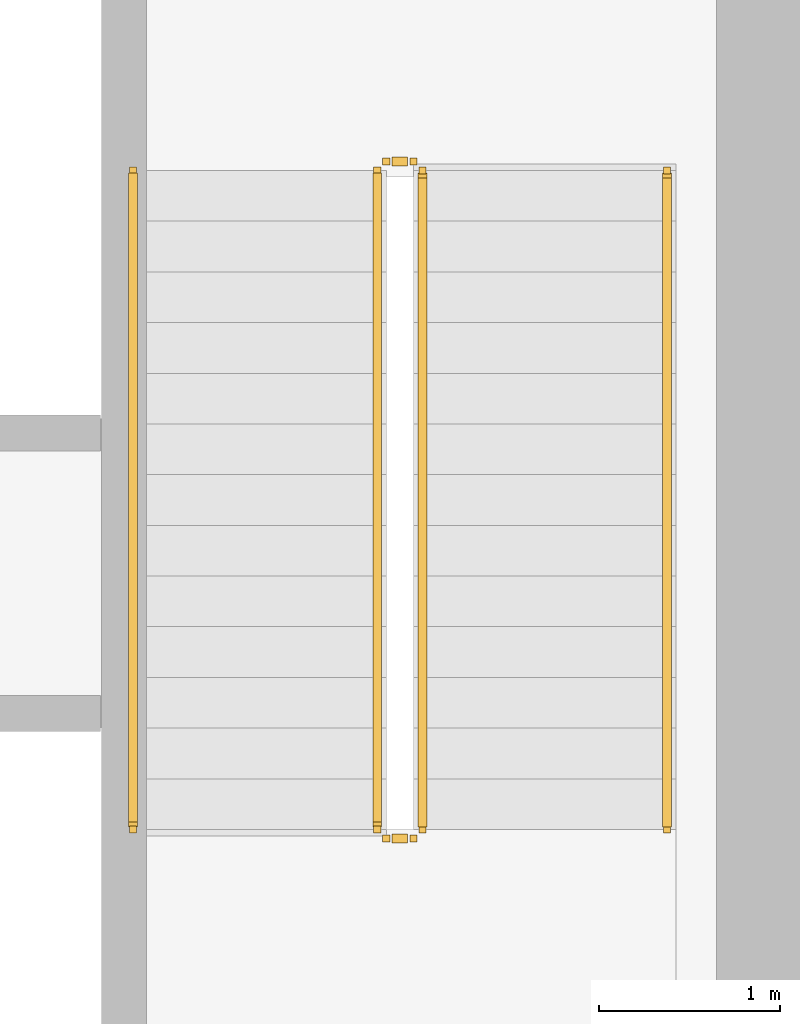
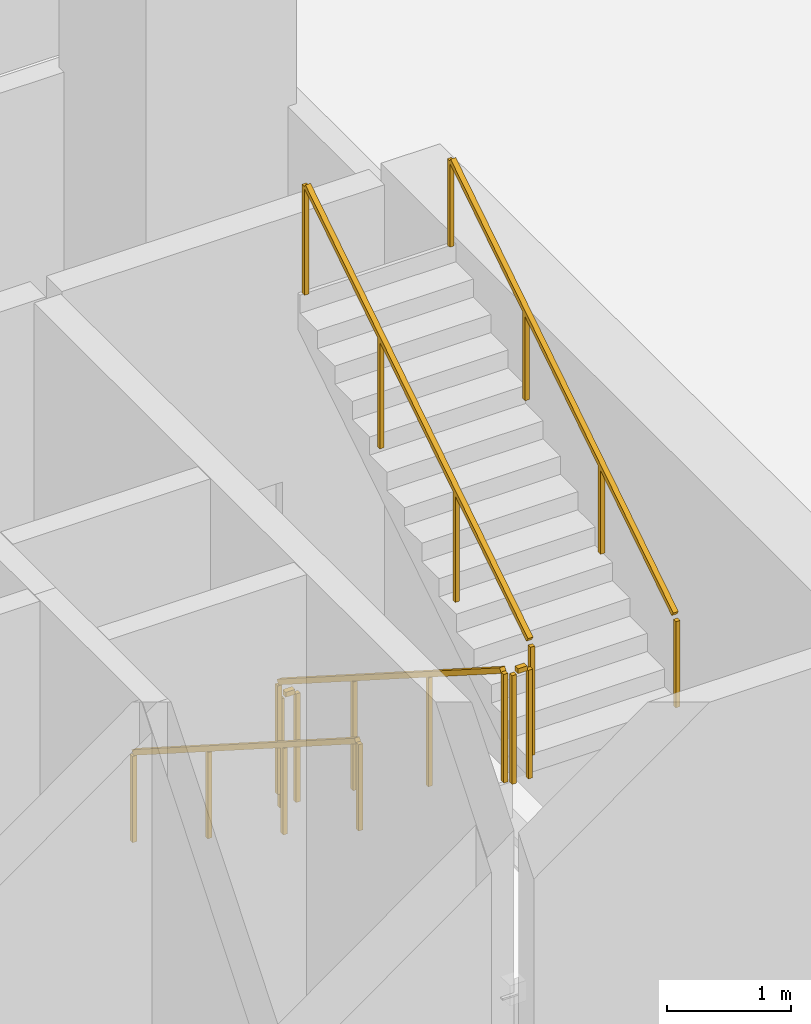
# One storey, part 22 of 24: 6 railings.
"""IFC4 building model written with IfcOpenShell, lengths in metres."""

import ifcopenshell
import ifcopenshell.guid

model = None  # the IFC model being written
_history = None  # IfcOwnerHistory: only IFC2X3 demands one
_inside = {}  # id of a spatial element -> (the spatial element, [elements in it])
_under = {}  # id of a project, library or spatial element -> (it, [spatial elements below it])
_declared = {}  # id of a project -> (the project, [libraries it declares])
_typed = {}  # id of a type object -> (the type object, [elements of that type])
_made_of = {}  # id of a material, layer set ... -> (it, [elements and type objects made of it])


def new_model(schema):
    """Start an empty IFC model of exactly this schema.

    Asked for "IFC4X3", IfcOpenShell would pick the latest addendum, in which some entities
    have other attributes; the version numbers below select the first issue.
    IFC2X3 requires an IfcOwnerHistory on every rooted entity: one is made here for all.
    """
    global model, _history
    if schema == "IFC4X3":
        model = ifcopenshell.file(schema_version=(4, 3, 0, 0))
    else:
        model = ifcopenshell.file(schema=schema)
    _inside.clear()
    _under.clear()
    _declared.clear()
    _typed.clear()
    _made_of.clear()
    _history = None
    if model.schema == "IFC2X3":
        org = make("IfcOrganization", Name="unknown")
        user = make(
            "IfcPersonAndOrganization",
            ThePerson=make("IfcPerson", FamilyName="unknown"),
            TheOrganization=org,
        )
        app = make(
            "IfcApplication",
            ApplicationDeveloper=org,
            Version="unknown",
            ApplicationFullName="unknown",
            ApplicationIdentifier="unknown",
        )
        _history = make(
            "IfcOwnerHistory",
            OwningUser=user,
            OwningApplication=app,
            ChangeAction="ADDED",
            CreationDate=0,
        )
    return model


def make(cls, **values):
    """One entity of the class cls with the attributes given. An attribute that is None is left unset."""
    return model.create_entity(
        cls, **{name: value for name, value in values.items() if value is not None}
    )


def rooted(cls, **values):
    """An entity with a GlobalId (a new one), such as an element, a storey or a relation."""
    return make(cls, GlobalId=ifcopenshell.guid.new(), OwnerHistory=_history, **values)


def si_unit(unit_type, name, prefix=None):
    """IfcSIUnit, for example si_unit("LENGTHUNIT", "METRE", prefix="MILLI")."""
    return make("IfcSIUnit", UnitType=unit_type, Prefix=prefix, Name=name)


def assignment(units):
    """IfcUnitAssignment: the units of a project."""
    return None if units is None else make("IfcUnitAssignment", Units=units)


def point(xyz):
    """IfcCartesianPoint."""
    return None if xyz is None else make("IfcCartesianPoint", Coordinates=xyz)


def direction(xyz):
    """IfcDirection."""
    return None if xyz is None else make("IfcDirection", DirectionRatios=xyz)


def frame(location, z_axis=None, x_axis=None):
    """IfcAxis2Placement3D, a coordinate frame: its origin and axes. An axis left out is left unset."""
    return make(
        "IfcAxis2Placement3D",
        Location=point(location),
        Axis=direction(z_axis),
        RefDirection=direction(x_axis),
    )


def frame_2d(location, x_axis=None):
    """IfcAxis2Placement2D, a coordinate frame in the plane: its origin and x axis."""
    return make(
        "IfcAxis2Placement2D", Location=point(location), RefDirection=direction(x_axis)
    )


def origin():
    """The frame at (0, 0, 0) with its axes left unset."""
    return frame((0.0, 0.0, 0.0))


def origin_2d():
    """The frame at (0, 0) in the plane with its x axis left unset."""
    return frame_2d((0.0, 0.0))


def place(relative_to, where):
    """IfcLocalPlacement: puts the frame where relative to a parent placement (None: the world)."""
    return make(
        "IfcLocalPlacement", PlacementRelTo=relative_to, RelativePlacement=where
    )


def context(
    kind, dimensions, precision=None, world=None, true_north=None, identifier=None
):
    """IfcGeometricRepresentationContext, for example the 3D "Model" context."""
    return make(
        "IfcGeometricRepresentationContext",
        ContextIdentifier=identifier,
        ContextType=kind,
        CoordinateSpaceDimension=dimensions,
        Precision=precision,
        WorldCoordinateSystem=world,
        TrueNorth=true_north,
    )


def subcontext(parent, identifier, kind, view, scale=None):
    """IfcGeometricRepresentationSubContext, for example "Body" below "Model"."""
    return make(
        "IfcGeometricRepresentationSubContext",
        ContextIdentifier=identifier,
        ContextType=kind,
        ParentContext=parent,
        TargetScale=scale,
        TargetView=view,
    )


def project(units=None, contexts=None):
    """IfcProject with its units and contexts."""
    return rooted(
        "IfcProject",
        Name="project",
        RepresentationContexts=contexts,
        UnitsInContext=assignment(units),
    )


def spatial(cls, under=None, at=None, **own):
    """A site, building, storey or space (cls), placed at a placement, below another one or the project."""
    s = rooted(cls, ObjectPlacement=at, **own)
    if under is not None:
        _under.setdefault(under.id(), (under, []))[1].append(s)
    return s


def profile(cls, at=None, kind="AREA", **sizes):
    """A parametric profile (cls). Its sizes go by their IFC names, for example OverallWidth=200.0."""
    return make(cls, ProfileType=kind, Position=at, **sizes)


def rectangle(**sizes):
    """IfcRectangleProfileDef."""
    return profile("IfcRectangleProfileDef", **sizes)


def extrude(swept, where, along, depth):
    """IfcExtrudedAreaSolid: the profile swept, set in the frame where, extruded along a direction by depth."""
    return make(
        "IfcExtrudedAreaSolid",
        SweptArea=swept,
        Position=where,
        ExtrudedDirection=direction(along),
        Depth=depth,
    )


def shape(context_of_items, identifier, shape_type, items):
    """IfcShapeRepresentation: the items that make up one representation, for example the "Body"."""
    return make(
        "IfcShapeRepresentation",
        ContextOfItems=context_of_items,
        RepresentationIdentifier=identifier,
        RepresentationType=shape_type,
        Items=items,
    )


def material(Name=None, Category=None):
    """IfcMaterial."""
    return make("IfcMaterial", Name=Name, Category=Category)


def made_of(thing, what):
    """Note that an element or type object is made of a material, layer set ...; save() writes the relation."""
    if what is not None:
        _made_of.setdefault(what.id(), (what, []))[1].append(thing)
    return thing


def type_object(cls, material=None, **own):
    """A type object (cls), such as IfcWallType, which elements share."""
    return made_of(rooted(cls, **own), material)


def element(
    cls,
    number,
    at=None,
    inside=None,
    cuts=None,
    type_object=None,
    material=None,
    context=None,
    identifier="Body",
    shape_type=None,
    held_by="IfcProductDefinitionShape",
    body=None,
    shapes=None,
    **own,
):
    """One element of the class cls, such as IfcWall. Its Tag is "e" and its number.

    at: its placement. inside: the storey or other place that contains it. cuts: it is an
    opening in that element (IfcRelVoidsElement). A single representation is given by context,
    identifier, shape_type and body (its items); several are given by shapes. held_by: the class
    of the entity that holds the representations. save() writes the other relations.
    """
    e = rooted(cls, Tag="e%d" % number, ObjectPlacement=at, **own)
    if body is not None:
        shapes = [shape(context, identifier, shape_type, body)]
    if shapes is not None:
        e.Representation = make(held_by, Representations=shapes)
    if inside is not None:
        _inside.setdefault(inside.id(), (inside, []))[1].append(e)
    if cuts is not None:
        rooted(
            "IfcRelVoidsElement", RelatingBuildingElement=cuts, RelatedOpeningElement=e
        )
    if type_object is not None:
        _typed.setdefault(type_object.id(), (type_object, []))[1].append(e)
    return made_of(e, material)


def aggregate(whole, parts):
    """IfcRelAggregates: a whole, such as a stair, and the parts it consists of."""
    return rooted("IfcRelAggregates", RelatingObject=whole, RelatedObjects=parts)


def save(model, path):
    """Write the relations noted so far, then the file.

    IfcRelAggregates (storeys below a building ...), IfcRelContainedInSpatialStructure (elements
    in a storey), IfcRelDefinesByType, IfcRelAssociatesMaterial and IfcRelDeclares: one each for
    every whole, place, type object, material and project.
    """
    for whole, parts in _under.values():
        aggregate(whole, parts)
    for where, things in _inside.values():
        rooted(
            "IfcRelContainedInSpatialStructure",
            RelatedElements=things,
            RelatingStructure=where,
        )
    for kind, things in _typed.values():
        rooted("IfcRelDefinesByType", RelatedObjects=things, RelatingType=kind)
    for what, things in _made_of.values():
        rooted("IfcRelAssociatesMaterial", RelatedObjects=things, RelatingMaterial=what)
    for by, libraries in _declared.values():
        rooted("IfcRelDeclares", RelatingContext=by, RelatedDefinitions=libraries)
    model.write(path)


model = new_model("IFC4")

# Units and contexts
model_context = context("Model", 3, precision=1e-05, world=origin(), true_north=direction((0.0, 1.0)))
body_context = subcontext(model_context, "Body", "Model", "MODEL_VIEW")
ifc_project = project(units=[si_unit("LENGTHUNIT", "METRE"), si_unit("AREAUNIT", "SQUARE_METRE"), si_unit("VOLUMEUNIT", "CUBIC_METRE"), si_unit("PLANEANGLEUNIT", "RADIAN"), si_unit("MASSUNIT", "GRAM", prefix="KILO")], contexts=[model_context])

# Site, building, storey
site_placement = place(None, origin())
site = spatial("IfcSite", under=ifc_project, at=site_placement, CompositionType="ELEMENT")
building_placement = place(site_placement, origin())
building = spatial("IfcBuilding", under=site, at=building_placement, Name="Tharavind Bronze Gate", CompositionType="ELEMENT")
storey_placement = place(building_placement, frame((0.0, 0.0, 21.5)))
storey = spatial("IfcBuildingStorey", under=building, at=storey_placement, Name="L04", CompositionType="ELEMENT", Elevation=21.5)

# Railings
ifc_material = material(Name="Brushed Bronze Alloy", Category="metal")
railing_type_1 = type_object("IfcRailingType", Name="STAIR BRONZE HANDRAIL 900", PredefinedType="HANDRAIL", material=ifc_material)
railing_1_placement = place(storey_placement, frame((5.39990234375, 2.25, 0.178466796875)))
element("IfcRailing", 1, at=railing_1_placement, inside=storey, type_object=railing_type_1, Name="L04 ST2 stair handrail 1", PredefinedType="HANDRAIL", context=body_context, shape_type="SweptSolid", body=[
    extrude(rectangle(XDim=0.048095703125, YDim=0.048095703125, at=origin_2d()), frame((0.0, -0.027099609375, 0.89306640625), z_axis=(0.0, -0.843111507901, 0.53773877045), x_axis=(1.0, 0.0, 0.0)), (0.0, 0.0, 1.0), 4.253173828125),
    extrude(rectangle(XDim=0.0400390625, YDim=0.0400390625, at=origin_2d()), origin(), (0.0, 0.0, 1.0), 0.847900390625),
    extrude(rectangle(XDim=0.0400390625, YDim=0.0400390625, at=origin_2d()), frame((0.0, -1.21337890625, 0.77392578125)), (0.0, 0.0, 1.0), 0.847900390625),
    extrude(rectangle(XDim=0.0400390625, YDim=0.0400390625, at=origin_2d()), frame((0.0, -2.426513671875, 1.547607421875)), (0.0, 0.0, 1.0), 0.847900390625),
    extrude(rectangle(XDim=0.0400390625, YDim=0.0400390625, at=origin_2d()), frame((0.0, -3.639892578125, 2.321533203125)), (0.0, 0.0, 1.0), 0.847900390625),
])
railing_2_placement = place(storey_placement, frame((8.35009765625, -1.389892578125, 2.678466796875)))
element("IfcRailing", 2, at=railing_2_placement, inside=storey, type_object=railing_type_1, Name="L04 ST2 stair handrail 2", PredefinedType="HANDRAIL", context=body_context, shape_type="SweptSolid", body=[
    extrude(rectangle(XDim=0.048095703125, YDim=0.048095703125, at=origin_2d()), frame((0.0, 0.027099609375, 0.89306640625), z_axis=(0.0, 0.843111507901, 0.53773877045), x_axis=(-1.0, 0.0, 0.0)), (0.0, 0.0, 1.0), 4.253173828125),
    extrude(rectangle(XDim=0.0400390625, YDim=0.0400390625, at=origin_2d()), origin(), (0.0, 0.0, 1.0), 0.847900390625),
    extrude(rectangle(XDim=0.0400390625, YDim=0.0400390625, at=origin_2d()), frame((0.0, 1.21337890625, 0.77392578125)), (0.0, 0.0, 1.0), 0.847900390625),
    extrude(rectangle(XDim=0.0400390625, YDim=0.0400390625, at=origin_2d()), frame((0.0, 2.426513671875, 1.547607421875)), (0.0, 0.0, 1.0), 0.847900390625),
    extrude(rectangle(XDim=0.0400390625, YDim=0.0400390625, at=origin_2d()), frame((0.0, 3.639892578125, 2.321533203125)), (0.0, 0.0, 1.0), 0.847900390625),
])
railing_type_2 = type_object("IfcRailingType", Name="STAIR WELL GUARD RAILING 1120", PredefinedType="GUARDRAIL", material=ifc_material)
railing_3_placement = place(storey_placement, frame((6.75, 2.25, 0.178466796875)))
element("IfcRailing", 3, at=railing_3_placement, inside=storey, type_object=railing_type_2, Name="L04 ST2 stair guard 1", PredefinedType="GUARDRAIL", context=body_context, shape_type="SweptSolid", body=[
    extrude(rectangle(XDim=0.048095703125, YDim=0.048095703125, at=origin_2d()), frame((0.0, -0.027099609375, 1.11328125), z_axis=(0.0, -0.843111507901, 0.53773877045), x_axis=(1.0, 0.0, 0.0)), (0.0, 0.0, 1.0), 4.253173828125),
    extrude(rectangle(XDim=0.0400390625, YDim=0.0400390625, at=origin_2d()), origin(), (0.0, 0.0, 1.0), 1.068115234375),
    extrude(rectangle(XDim=0.0400390625, YDim=0.0400390625, at=origin_2d()), frame((0.0, -1.21337890625, 0.77392578125)), (0.0, 0.0, 1.0), 1.068115234375),
    extrude(rectangle(XDim=0.0400390625, YDim=0.0400390625, at=origin_2d()), frame((0.0, -2.426513671875, 1.547607421875)), (0.0, 0.0, 1.0), 1.068115234375),
    extrude(rectangle(XDim=0.0400390625, YDim=0.0400390625, at=origin_2d()), frame((0.0, -3.639892578125, 2.321533203125)), (0.0, 0.0, 1.0), 1.068115234375),
])
railing_4_placement = place(storey_placement, frame((6.800048828125, -1.43994140625, 2.5)))
element("IfcRailing", 4, at=railing_4_placement, inside=storey, type_object=railing_type_2, Name="L04 ST2 stair guard 2", PredefinedType="GUARDRAIL", context=body_context, shape_type="SweptSolid", body=[
    extrude(rectangle(XDim=0.048095703125, YDim=0.048095703125, at=origin_2d()), frame((0.031982421875, 0.0, 1.09619140625), z_axis=(1.0, 0.0, 0.0), x_axis=(0.0, 1.0, 0.0)), (0.0, 0.0, 1.0), 0.0859375),
    extrude(rectangle(XDim=0.0400390625, YDim=0.0400390625, at=origin_2d()), origin(), (0.0, 0.0, 1.0), 1.068115234375),
    extrude(rectangle(XDim=0.0400390625, YDim=0.0400390625, at=origin_2d()), frame((0.14990234375, 0.0, 0.0)), (0.0, 0.0, 1.0), 1.068115234375),
])
railing_5_placement = place(storey_placement, frame((7.0, -1.389892578125, 2.678466796875)))
element("IfcRailing", 5, at=railing_5_placement, inside=storey, type_object=railing_type_2, Name="L04 ST2 stair guard 3", PredefinedType="GUARDRAIL", context=body_context, shape_type="SweptSolid", body=[
    extrude(rectangle(XDim=0.048095703125, YDim=0.048095703125, at=origin_2d()), frame((0.0, 0.027099609375, 1.11328125), z_axis=(0.0, 0.843111507901, 0.53773877045), x_axis=(-1.0, 0.0, 0.0)), (0.0, 0.0, 1.0), 4.253173828125),
    extrude(rectangle(XDim=0.0400390625, YDim=0.0400390625, at=origin_2d()), origin(), (0.0, 0.0, 1.0), 1.068115234375),
    extrude(rectangle(XDim=0.0400390625, YDim=0.0400390625, at=origin_2d()), frame((0.0, 1.21337890625, 0.77392578125)), (0.0, 0.0, 1.0), 1.068115234375),
    extrude(rectangle(XDim=0.0400390625, YDim=0.0400390625, at=origin_2d()), frame((0.0, 2.426513671875, 1.547607421875)), (0.0, 0.0, 1.0), 1.068115234375),
    extrude(rectangle(XDim=0.0400390625, YDim=0.0400390625, at=origin_2d()), frame((0.0, 3.639892578125, 2.321533203125)), (0.0, 0.0, 1.0), 1.068115234375),
])
railing_6_placement = place(storey_placement, frame((6.800048828125, 2.300048828125, 0.0)))
element("IfcRailing", 6, at=railing_6_placement, inside=storey, type_object=railing_type_2, Name="L04 ST2 stair guard 4", PredefinedType="GUARDRAIL", context=body_context, shape_type="SweptSolid", body=[
    extrude(rectangle(XDim=0.048095703125, YDim=0.048095703125, at=origin_2d()), frame((0.031982421875, 0.0, 1.09619140625), z_axis=(1.0, 0.0, 0.0), x_axis=(0.0, 1.0, 0.0)), (0.0, 0.0, 1.0), 0.0859375),
    extrude(rectangle(XDim=0.0400390625, YDim=0.0400390625, at=origin_2d()), origin(), (0.0, 0.0, 1.0), 1.068115234375),
    extrude(rectangle(XDim=0.0400390625, YDim=0.0400390625, at=origin_2d()), frame((0.14990234375, 0.0, 0.0)), (0.0, 0.0, 1.0), 1.068115234375),
])

save(model, "model.ifc")
